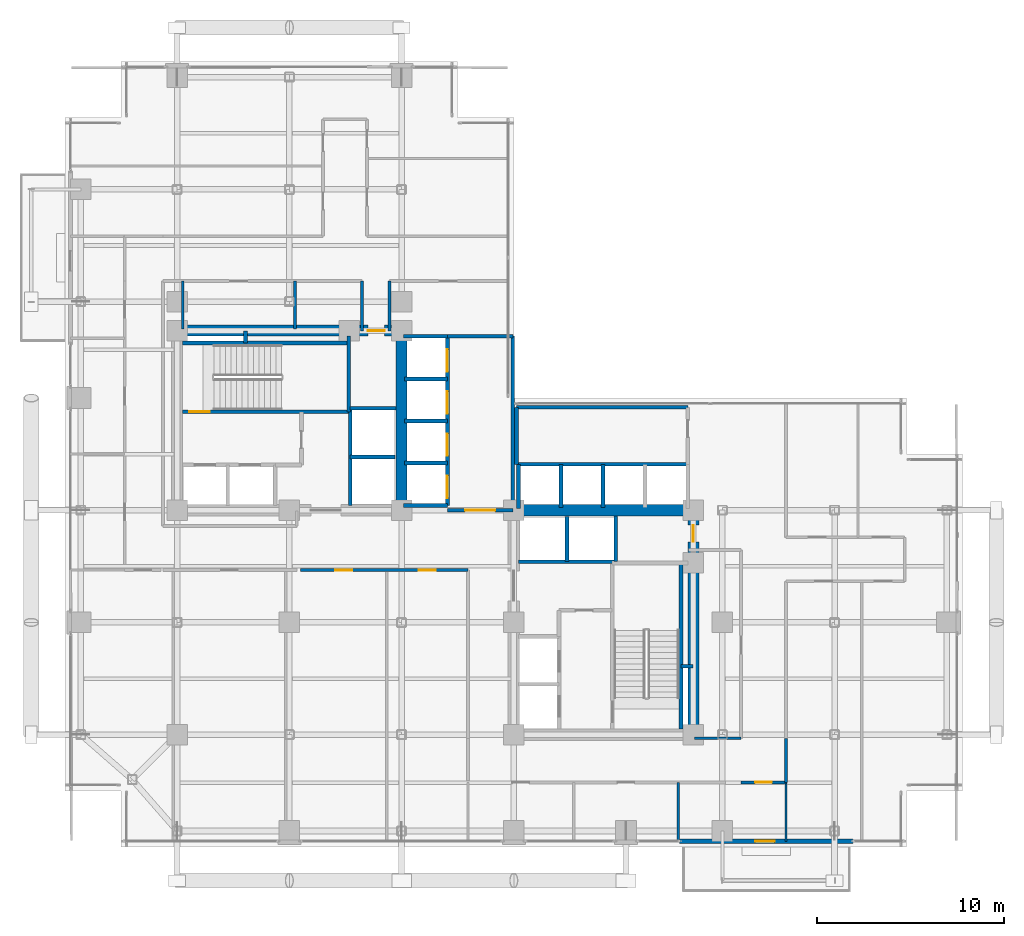
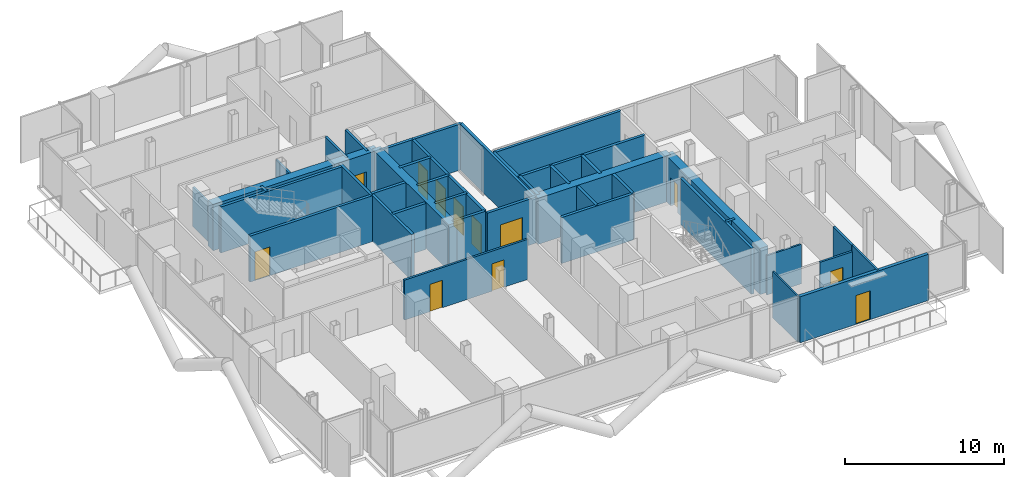
# One storey, part 23 of 28: 42 walls, 12 doors, 12 openings.
"""IFC4 building model written with IfcOpenShell, lengths in metres."""

from ifc_helpers import new_model, si_unit, direction, frame, frame_2d, origin, place, context, subcontext, project, spatial, rectangle, extrude, material, layer, layer_set, type_object, element, fill, save


model = new_model("IFC4")

# Units and contexts
model_context = context("Model", 3, precision=1e-05, world=origin(), true_north=direction((0.0, 1.0)))
body_context = subcontext(model_context, "Body", "Model", "MODEL_VIEW")
ifc_project = project(units=[si_unit("LENGTHUNIT", "METRE"), si_unit("AREAUNIT", "SQUARE_METRE"), si_unit("VOLUMEUNIT", "CUBIC_METRE"), si_unit("PLANEANGLEUNIT", "RADIAN"), si_unit("MASSUNIT", "GRAM", prefix="KILO"), si_unit("THERMODYNAMICTEMPERATUREUNIT", "KELVIN"), si_unit("POWERUNIT", "WATT")], contexts=[model_context])

# Site, building, storey
site_placement = place(None, origin())
site = spatial("IfcSite", under=ifc_project, at=site_placement, CompositionType="ELEMENT")
building_placement = place(site_placement, origin())
building = spatial("IfcBuilding", under=site, at=building_placement, Name="Svarakhadi Broadcast Tower", CompositionType="ELEMENT")
storey_placement = place(building_placement, frame((0.0, 0.0, 103.35009765625)))
storey = spatial("IfcBuildingStorey", under=building, at=storey_placement, Name="L24", CompositionType="ELEMENT", Elevation=103.35009765625)

# Wall, opening, door
ifc_material_1 = material(Name="Concrete C40/50 (IS 456 M50)", Category="concrete")
ifc_layer_1 = layer(ifc_material_1, 0.239990234375)
ifc_layer_set_1 = layer_set([ifc_layer_1], Name="Concrete C40/50 (IS 456 M50)")
wall_type_1 = type_object("IfcWallType", Name="Wall_Ext_240", PredefinedType="SOLIDWALL", material=ifc_layer_set_1)
wall_1_placement = place(storey_placement, frame((42.14501953125, 0.300048828125, 0.0), z_axis=(0.0, 0.0, 1.0), x_axis=(-1.0, 0.0, 0.0)))
wall_1 = element("IfcWall", 1, at=wall_1_placement, inside=storey, type_object=wall_type_1, Name="L24 South Tree Balcony Spandrel Wall", PredefinedType="SOLIDWALL", context=body_context, shape_type="SweptSolid", body=[
    extrude(rectangle(XDim=9.2900390625, YDim=0.239990234375, at=frame_2d((4.64501953125, 0.0))), origin(), (0.0, 0.0, 1.0), 3.52490234375),
])
opening_1_placement = place(wall_1_placement, frame((4.199951171875, 0.0, 0.0)))
opening_1 = element("IfcOpeningElement", 2, at=opening_1_placement, cuts=wall_1, Name="Opening ED-06", PredefinedType="OPENING", context=body_context, shape_type="SweptSolid", body=[
    extrude(rectangle(XDim=1.050048828125, YDim=2.199951171875, at=frame_2d((0.52490234375, 1.10009765625))), frame((0.0, 0.1298828125, 0.0), z_axis=(0.0, -1.0, 0.0), x_axis=(1.0, 0.0, 0.0)), (0.0, 0.0, 1.0), 0.260009765625),
])
ifc_material_2 = material(Name="Anodised Bronze Aluminium AA 6063-T6", Category="aluminium")
door_type_1 = type_object("IfcDoorType", Name="Door_Ext_ED06", OperationType="SINGLE_SWING_RIGHT", PredefinedType="DOOR", material=ifc_material_2)
door_1_placement = place(opening_1_placement, origin())
door_1 = element("IfcDoor", 3, at=door_1_placement, inside=storey, type_object=door_type_1, Name="L24 South Tree Balcony Door", OperationType="SINGLE_SWING_RIGHT", OverallHeight=2.199951171875, OverallWidth=1.050048828125, PredefinedType="DOOR", context=body_context, shape_type="SweptSolid", body=[
    extrude(rectangle(XDim=1.050048828125, YDim=2.199951171875, at=frame_2d((0.52490234375, 1.10009765625))), frame((0.0, 0.02490234375, 0.0), z_axis=(0.0, -1.0, 0.0), x_axis=(1.0, 0.0, 0.0)), (0.0, 0.0, 1.0), 0.050048828125),
])
fill(opening_1, door_1)

# Walls
ifc_layer_2 = layer(ifc_material_1, 0.199951171875)
ifc_layer_set_2 = layer_set([ifc_layer_2], Name="Concrete C40/50 (IS 456 M50)")
wall_type_2 = type_object("IfcWallType", Name="Wall_Fire_200", PredefinedType="SOLIDWALL", material=ifc_layer_set_2)
for number, where, z_axis, x_axis, name in (
    (4, (9.659912109375, 26.93994140625, 0.0), (0.0, 0.0, 1.0), (0.0, 1.0, 0.0), "L24 Wet Riser Shaft East Wall"),
    (5, (32.93994140625, 9.659912109375, 0.0), (0.0, 0.0, 1.0), (1.0, 0.0, 0.0), "L24 HV Busduct Riser Shaft North Wall"),
):
    element("IfcWall", number, at=place(storey_placement, frame(where, z_axis=z_axis, x_axis=x_axis)), inside=storey, type_object=wall_type_2, Name=name, PredefinedType="SOLIDWALL", context=body_context, shape_type="SweptSolid", body=[
        extrude(rectangle(XDim=0.64013671875, YDim=0.199951171875, at=frame_2d((0.320068359375, 0.0))), origin(), (0.0, 0.0, 1.0), 3.52490234375),
    ])
ifc_material_3 = material(Name="Fire-Rated Moisture-Resistant Gypsum Board Partition", Category="gypsum")
ifc_layer_3 = layer(ifc_material_3, 0.125)
ifc_layer_set_3 = layer_set([ifc_layer_3], Name="Fire-Rated Moisture-Resistant Gypsum Board Partition")
wall_type_3 = type_object("IfcWallType", Name="Wall_Part_125", PredefinedType="PARTITIONING", material=ifc_layer_set_3)
for number, where, z_axis, x_axis, name in (
    (6, (32.800048828125, 0.300048828125, 0.0), (0.0, 0.0, 1.0), (0.0, 1.0, 0.0), "L24 Media Legal Review Office Wall"),
    (7, (38.550048828125, 0.300048828125, 0.0), (0.0, 0.0, 1.0), (0.0, 1.0, 0.0), "L24 Broadcast Staff Refreshment Pantry Wall"),
):
    element("IfcWall", number, at=place(storey_placement, frame(where, z_axis=z_axis, x_axis=x_axis)), inside=storey, type_object=wall_type_3, Name=name, PredefinedType="PARTITIONING", context=body_context, shape_type="SweptSolid", body=[
        extrude(rectangle(XDim=3.14990234375, YDim=0.125, at=frame_2d((1.574951171875, 0.0))), origin(), (0.0, 0.0, 1.0), 3.52490234375),
    ])
wall_2_placement = place(storey_placement, frame((33.64990234375, 5.800048828125, 0.0), z_axis=(0.0, 0.0, 1.0), x_axis=(1.0, 0.0, 0.0)))
element("IfcWall", 8, at=wall_2_placement, inside=storey, type_object=wall_type_3, Name="L24 Live Feed Monitoring Studio Wall", PredefinedType="PARTITIONING", context=body_context, shape_type="SweptSolid", body=[
    extrude(rectangle(XDim=2.5, YDim=0.125, at=frame_2d((1.25, 0.0))), origin(), (0.0, 0.0, 1.0), 3.016845703125),
])
ifc_material_4 = material(Name="Autoclaved Aerated Concrete Blockwork 150 mm", Category="masonry")
ifc_layer_4 = layer(ifc_material_4, 0.14990234375)
ifc_layer_set_4 = layer_set([ifc_layer_4], Name="Autoclaved Aerated Concrete Blockwork 150 mm")
wall_type_4 = type_object("IfcWallType", Name="Wall_Part_150", PredefinedType="PARTITIONING", material=ifc_layer_set_4)
wall_3_placement = place(storey_placement, frame((38.550048828125, 5.800048828125, 0.0), z_axis=(0.0, 0.0, 1.0), x_axis=(0.0, -1.0, 0.0)))
element("IfcWall", 9, at=wall_3_placement, inside=storey, type_object=wall_type_4, Name="L24 Broadcast Corridor Wall", PredefinedType="PARTITIONING", context=body_context, shape_type="SweptSolid", body=[
    extrude(rectangle(XDim=2.35009765625, YDim=0.14990234375, at=frame_2d((1.175048828125, 0.0))), origin(), (0.0, 0.0, 1.0), 3.52490234375),
])

# Wall, opening, door
wall_4_placement = place(storey_placement, frame((38.550048828125, 3.449951171875, 0.0), z_axis=(0.0, 0.0, 1.0), x_axis=(-1.0, 0.0, 0.0)))
wall_4 = element("IfcWall", 10, at=wall_4_placement, inside=storey, type_object=wall_type_4, Name="L24 Broadcast Corridor Wall", PredefinedType="PARTITIONING", context=body_context, shape_type="SweptSolid", body=[
    extrude(rectangle(XDim=2.400146484375, YDim=0.14990234375, at=frame_2d((1.2001953125, 0.0))), origin(), (0.0, 0.0, 1.0), 3.06689453125),
])
opening_2_placement = place(wall_4_placement, frame((0.75, 0.0, 0.0)))
opening_2 = element("IfcOpeningElement", 11, at=opening_2_placement, cuts=wall_4, Name="Opening D-14", PredefinedType="OPENING", context=body_context, shape_type="SweptSolid", body=[
    extrude(rectangle(XDim=0.89990234375, YDim=2.10009765625, at=frame_2d((0.449951171875, 1.050048828125))), frame((0.0, 0.0849609375, 0.0), z_axis=(0.0, -1.0, 0.0), x_axis=(1.0, 0.0, 0.0)), (0.0, 0.0, 1.0), 0.169921875),
])
ifc_material_5 = material(Name="Solid-Core Teak Veneer Acoustic Timber Leaf", Category="wood")
door_type_2 = type_object("IfcDoorType", Name="Door_Int_D14", OperationType="SINGLE_SWING_LEFT", PredefinedType="DOOR", material=ifc_material_5)
door_2_placement = place(opening_2_placement, origin())
door_2 = element("IfcDoor", 12, at=door_2_placement, inside=storey, type_object=door_type_2, Name="L24 Broadcast Staff Refreshment Pantry Door", OperationType="SINGLE_SWING_LEFT", OverallHeight=2.10009765625, OverallWidth=0.89990234375, PredefinedType="DOOR", context=body_context, shape_type="SweptSolid", body=[
    extrude(rectangle(XDim=0.89990234375, YDim=2.10009765625, at=frame_2d((0.449951171875, 1.050048828125))), frame((0.0, 0.02490234375, 0.0), z_axis=(0.0, -1.0, 0.0), x_axis=(1.0, 0.0, 0.0)), (0.0, 0.0, 1.0), 0.050048828125),
])
fill(opening_2, door_2)

# Wall, openings, doors
wall_5_placement = place(storey_placement, frame((21.550048828125, 14.800048828125, 0.0), z_axis=(0.0, 0.0, 1.0), x_axis=(-1.0, 0.0, 0.0)))
wall_5 = element("IfcWall", 13, at=wall_5_placement, inside=storey, type_object=wall_type_4, Name="L24 Broadcast Corridor Wall", PredefinedType="PARTITIONING", context=body_context, shape_type="SweptSolid", body=[
    extrude(rectangle(XDim=8.949951171875, YDim=0.14990234375, at=frame_2d((4.47509765625, 0.0))), origin(), (0.0, 0.0, 1.0), 3.06689453125),
])
opening_3_placement = place(wall_5_placement, frame((6.199951171875, 0.0, 0.0)))
opening_3 = element("IfcOpeningElement", 14, at=opening_3_placement, cuts=wall_5, Name="Opening D-15", PredefinedType="OPENING", context=body_context, shape_type="SweptSolid", body=[
    extrude(rectangle(XDim=0.89990234375, YDim=2.10009765625, at=frame_2d((0.449951171875, 1.050048828125))), frame((0.0, 0.0849609375, 0.0), z_axis=(0.0, -1.0, 0.0), x_axis=(1.0, 0.0, 0.0)), (0.0, 0.0, 1.0), 0.169921875),
])
opening_4_placement = place(wall_5_placement, frame((1.72509765625, 0.0, 0.0)))
opening_4 = element("IfcOpeningElement", 15, at=opening_4_placement, cuts=wall_5, Name="Opening D-14", PredefinedType="OPENING", context=body_context, shape_type="SweptSolid", body=[
    extrude(rectangle(XDim=0.89990234375, YDim=2.10009765625, at=frame_2d((0.449951171875, 1.050048828125))), frame((0.0, 0.0849609375, 0.0), z_axis=(0.0, -1.0, 0.0), x_axis=(1.0, 0.0, 0.0)), (0.0, 0.0, 1.0), 0.169921875),
])
door_3_placement = place(opening_4_placement, origin())
door_3 = element("IfcDoor", 16, at=door_3_placement, inside=storey, type_object=door_type_2, Name="L24 Tea Pantry Door", OperationType="SINGLE_SWING_LEFT", OverallHeight=2.10009765625, OverallWidth=0.89990234375, PredefinedType="DOOR", context=body_context, shape_type="SweptSolid", body=[
    extrude(rectangle(XDim=0.89990234375, YDim=2.10009765625, at=frame_2d((0.449951171875, 1.050048828125))), frame((0.0, 0.02490234375, 0.0), z_axis=(0.0, -1.0, 0.0), x_axis=(1.0, 0.0, 0.0)), (0.0, 0.0, 1.0), 0.050048828125),
])
fill(opening_4, door_3)
door_type_3 = type_object("IfcDoorType", Name="Door_Int_D15", OperationType="SINGLE_SWING_RIGHT", PredefinedType="DOOR", material=ifc_material_5)
door_4_placement = place(opening_3_placement, origin())
door_4 = element("IfcDoor", 17, at=door_4_placement, inside=storey, type_object=door_type_3, Name="L24 Regional Editors Room Door", OperationType="SINGLE_SWING_RIGHT", OverallHeight=2.10009765625, OverallWidth=0.89990234375, PredefinedType="DOOR", context=body_context, shape_type="SweptSolid", body=[
    extrude(rectangle(XDim=0.89990234375, YDim=2.10009765625, at=frame_2d((0.449951171875, 1.050048828125))), frame((0.0, 0.02490234375, 0.0), z_axis=(0.0, -1.0, 0.0), x_axis=(1.0, 0.0, 0.0)), (0.0, 0.0, 1.0), 0.050048828125),
])
fill(opening_3, door_4)

# Walls
for number, where, z_axis, x_axis, name in (
    (18, (17.35009765625, 30.25, 0.0), (0.0, 0.0, 1.0), (0.0, -1.0, 0.0), "L24 Broadcast Corridor Wall"),
    (19, (15.8798828125, 27.580078125, 0.0), (0.0, 0.0, 1.0), (0.0, 1.0, 0.0), "L24 Broadcast Corridor Wall"),
):
    element("IfcWall", number, at=place(storey_placement, frame(where, z_axis=z_axis, x_axis=x_axis)), inside=storey, type_object=wall_type_4, Name=name, PredefinedType="PARTITIONING", context=body_context, shape_type="SweptSolid", body=[
        extrude(rectangle(XDim=2.669921875, YDim=0.14990234375, at=frame_2d((1.3349609375, 0.0))), origin(), (0.0, 0.0, 1.0), 3.52490234375),
    ])
for number, where, z_axis, x_axis, name in (
    (20, (6.300048828125, 27.679931640625, 0.0), (0.0, 0.0, 1.0), (0.0, 1.0, 0.0), "L24 Accessible Toilet WC Wall"),
    (21, (12.300048828125, 27.679931640625, 0.0), (0.0, 0.0, 1.0), (0.0, 1.0, 0.0), "L24 Accessible Toilet WC Wall"),
):
    element("IfcWall", number, at=place(storey_placement, frame(where, z_axis=z_axis, x_axis=x_axis)), inside=storey, type_object=wall_type_4, Name=name, PredefinedType="PARTITIONING", context=body_context, shape_type="SweptSolid", body=[
        extrude(rectangle(XDim=2.570068359375, YDim=0.14990234375, at=frame_2d((1.28515625, 0.0))), origin(), (0.0, 0.0, 1.0), 3.016845703125),
    ])

# Wall, opening, door
ifc_material_6 = material(Name="Concrete C50/60 (IS 456 M60)", Category="concrete")
ifc_layer_5 = layer(ifc_material_6, 0.199951171875)
ifc_layer_set_5 = layer_set([ifc_layer_5], Name="Concrete C50/60 (IS 456 M60)")
wall_type_5 = type_object("IfcWallType", Name="Wall_Shear_200", PredefinedType="SHEAR", material=ifc_layer_set_5)
wall_6_placement = place(storey_placement, frame((6.300048828125, 23.260009765625, 0.0), z_axis=(0.0, 0.0, 1.0), x_axis=(1.0, 0.0, 0.0)))
wall_6 = element("IfcWall", 22, at=wall_6_placement, inside=storey, type_object=wall_type_5, Name="L24 Stair ST-01 South RC Shaft Wall", PredefinedType="SHEAR", context=body_context, shape_type="SweptSolid", body=[
    extrude(rectangle(XDim=8.8798828125, YDim=0.199951171875, at=frame_2d((4.43994140625, 0.0))), origin(), (0.0, 0.0, 1.0), 3.52490234375),
])
opening_5_placement = place(wall_6_placement, frame((0.35009765625, 0.0, 0.0)))
opening_5 = element("IfcOpeningElement", 23, at=opening_5_placement, cuts=wall_6, Name="Opening D-01", PredefinedType="OPENING", context=body_context, shape_type="SweptSolid", body=[
    extrude(rectangle(XDim=1.10009765625, YDim=2.199951171875, at=frame_2d((0.550048828125, 1.10009765625))), frame((0.0, 0.10986328125, 0.0), z_axis=(0.0, -1.0, 0.0), x_axis=(1.0, 0.0, 0.0)), (0.0, 0.0, 1.0), 0.219970703125),
])
ifc_material_7 = material(Name="Galvanised Powder-Coated Fire-Rated Steel Leaf", Category="steel")
door_type_4 = type_object("IfcDoorType", Name="Door_Stair_D01", OperationType="SINGLE_SWING_LEFT", PredefinedType="DOOR", material=ifc_material_7)
door_5_placement = place(opening_5_placement, origin())
door_5 = element("IfcDoor", 24, at=door_5_placement, inside=storey, type_object=door_type_4, Name="L24 Protected Exit Stair ST-01 Fire Door", OperationType="SINGLE_SWING_LEFT", OverallHeight=2.199951171875, OverallWidth=1.10009765625, PredefinedType="DOOR", context=body_context, shape_type="SweptSolid", body=[
    extrude(rectangle(XDim=1.10009765625, YDim=2.199951171875, at=frame_2d((0.550048828125, 1.10009765625))), frame((0.0, 0.02490234375, 0.0), z_axis=(0.0, -1.0, 0.0), x_axis=(1.0, 0.0, 0.0)), (0.0, 0.0, 1.0), 0.050048828125),
])
fill(opening_5, door_5)

# Walls
wall_7_placement = place(storey_placement, frame((6.300048828125, 26.93994140625, 0.0), z_axis=(0.0, 0.0, 1.0), x_axis=(1.0, 0.0, 0.0)))
element("IfcWall", 25, at=wall_7_placement, inside=storey, type_object=wall_type_5, Name="L24 Stair ST-01 North RC Shaft Wall", PredefinedType="SHEAR", context=body_context, shape_type="SweptSolid", body=[
    extrude(rectangle(XDim=8.8798828125, YDim=0.199951171875, at=frame_2d((4.43994140625, 0.0))), origin(), (0.0, 0.0, 1.0), 3.52490234375),
])
wall_8_placement = place(storey_placement, frame((15.179931640625, 23.260009765625, 0.0), z_axis=(0.0, 0.0, 1.0), x_axis=(0.0, 1.0, 0.0)))
element("IfcWall", 26, at=wall_8_placement, inside=storey, type_object=wall_type_5, Name="L24 Stair ST-01 East RC Shaft Wall", PredefinedType="SHEAR", context=body_context, shape_type="SweptSolid", body=[
    extrude(rectangle(XDim=4.0400390625, YDim=0.199951171875, at=frame_2d((2.02001953125, 0.0))), origin(), (0.0, 0.0, 1.0), 3.52490234375),
])
wall_9_placement = place(storey_placement, frame((32.93994140625, 6.300048828125, 0.0), z_axis=(0.0, 0.0, 1.0), x_axis=(0.0, 1.0, 0.0)))
element("IfcWall", 27, at=wall_9_placement, inside=storey, type_object=wall_type_5, Name="L24 Stair ST-02 East RC Shaft Wall", PredefinedType="SHEAR", context=body_context, shape_type="SweptSolid", body=[
    extrude(rectangle(XDim=8.8798828125, YDim=0.199951171875, at=frame_2d((4.43994140625, 0.0))), origin(), (0.0, 0.0, 1.0), 3.52490234375),
])
wall_10_placement = place(storey_placement, frame((15.25, 18.25, 0.0), z_axis=(0.0, 0.0, 1.0), x_axis=(0.0, 1.0, 0.0)))
element("IfcWall", 28, at=wall_10_placement, inside=storey, type_object=wall_type_5, Name="L24 High-Rise Lift LF-13/14 West Shaft Wall", PredefinedType="SHEAR", context=body_context, shape_type="SweptSolid", body=[
    extrude(rectangle(XDim=5.199951171875, YDim=0.199951171875, at=frame_2d((2.60009765625, 0.0))), origin(), (0.0, 0.0, 1.0), 3.52490234375),
])
wall_11_placement = place(storey_placement, frame((15.25, 20.85009765625, 0.0), z_axis=(0.0, 0.0, 1.0), x_axis=(1.0, 0.0, 0.0)))
element("IfcWall", 29, at=wall_11_placement, inside=storey, type_object=wall_type_5, Name="L24 High-Rise Lift LF-13/14 Divider", PredefinedType="SHEAR", context=body_context, shape_type="SweptSolid", body=[
    extrude(rectangle(XDim=2.39990234375, YDim=0.199951171875, at=frame_2d((1.199951171875, 0.0))), origin(), (0.0, 0.0, 1.0), 3.52490234375),
])
wall_12_placement = place(storey_placement, frame((15.25, 23.449951171875, 0.0), z_axis=(0.0, 0.0, 1.0), x_axis=(1.0, 0.0, 0.0)))
element("IfcWall", 30, at=wall_12_placement, inside=storey, type_object=wall_type_5, Name="L24 High-Rise Lift LF-13/14 North Wall", PredefinedType="SHEAR", context=body_context, shape_type="SweptSolid", body=[
    extrude(rectangle(XDim=2.449951171875, YDim=0.199951171875, at=frame_2d((1.22509765625, 0.0))), origin(), (0.0, 0.0, 1.0), 3.52490234375),
])
wall_13_placement = place(storey_placement, frame((24.25, 15.25, 0.0), z_axis=(0.0, 0.0, 1.0), x_axis=(1.0, 0.0, 0.0)))
element("IfcWall", 31, at=wall_13_placement, inside=storey, type_object=wall_type_5, Name="L24 High-Rise Lift LF-15/16 South Shaft Wall", PredefinedType="SHEAR", context=body_context, shape_type="SweptSolid", body=[
    extrude(rectangle(XDim=5.199951171875, YDim=0.199951171875, at=frame_2d((2.60009765625, 0.0))), origin(), (0.0, 0.0, 1.0), 3.52490234375),
])
wall_14_placement = place(storey_placement, frame((26.85009765625, 15.25, 0.0), z_axis=(0.0, 0.0, 1.0), x_axis=(0.0, 1.0, 0.0)))
element("IfcWall", 32, at=wall_14_placement, inside=storey, type_object=wall_type_5, Name="L24 High-Rise Lift LF-15/16 Divider", PredefinedType="SHEAR", context=body_context, shape_type="SweptSolid", body=[
    extrude(rectangle(XDim=2.39990234375, YDim=0.199951171875, at=frame_2d((1.199951171875, 0.0))), origin(), (0.0, 0.0, 1.0), 3.52490234375),
])
wall_15_placement = place(storey_placement, frame((29.449951171875, 15.25, 0.0), z_axis=(0.0, 0.0, 1.0), x_axis=(0.0, 1.0, 0.0)))
element("IfcWall", 33, at=wall_15_placement, inside=storey, type_object=wall_type_5, Name="L24 High-Rise Lift LF-15/16 East Wall", PredefinedType="SHEAR", context=body_context, shape_type="SweptSolid", body=[
    extrude(rectangle(XDim=2.449951171875, YDim=0.199951171875, at=frame_2d((1.22509765625, 0.0))), origin(), (0.0, 0.0, 1.0), 3.52490234375),
])
for number, where, z_axis, x_axis, name in (
    (34, (18.10009765625, 27.300048828125, 0.0), (0.0, 0.0, 1.0), (1.0, 0.0, 0.0), "L24 Bank A North Shaft Wall"),
    (35, (18.10009765625, 18.25, 0.0), (0.0, 0.0, 1.0), (1.0, 0.0, 0.0), "L24 Bank A South Shaft Wall"),
):
    element("IfcWall", number, at=place(storey_placement, frame(where, z_axis=z_axis, x_axis=x_axis)), inside=storey, type_object=wall_type_5, Name=name, PredefinedType="SHEAR", context=body_context, shape_type="SweptSolid", body=[
        extrude(rectangle(XDim=2.349853515625, YDim=0.199951171875, at=frame_2d((1.1748046875, 0.0))), origin(), (0.0, 0.0, 1.0), 3.52490234375),
    ])

# Wall, openings, doors
wall_16_placement = place(storey_placement, frame((20.449951171875, 18.25, 0.0), z_axis=(0.0, 0.0, 1.0), x_axis=(0.0, 1.0, 0.0)))
wall_16 = element("IfcWall", 36, at=wall_16_placement, inside=storey, type_object=wall_type_5, Name="L24 Bank A East Landing Wall", PredefinedType="SHEAR", context=body_context, shape_type="SweptSolid", body=[
    extrude(rectangle(XDim=9.050048828125, YDim=0.199951171875, at=frame_2d((4.52490234375, 0.0))), origin(), (0.0, 0.0, 1.0), 3.52490234375),
])
opening_6_placement = place(wall_16_placement, frame((0.39990234375, 0.0, 0.0)))
opening_6 = element("IfcOpeningElement", 37, at=opening_6_placement, cuts=wall_16, Name="Opening LD-02", PredefinedType="OPENING", context=body_context, shape_type="SweptSolid", body=[
    extrude(rectangle(XDim=1.199951171875, YDim=2.199951171875, at=frame_2d((0.60009765625, 1.10009765625))), frame((0.0, 0.10986328125, 0.0), z_axis=(0.0, -1.0, 0.0), x_axis=(1.0, 0.0, 0.0)), (0.0, 0.0, 1.0), 0.219970703125),
])
opening_7_placement = place(wall_16_placement, frame((2.64990234375, 0.0, 0.0)))
opening_7 = element("IfcOpeningElement", 38, at=opening_7_placement, cuts=wall_16, Name="Opening LD-02", PredefinedType="OPENING", context=body_context, shape_type="SweptSolid", body=[
    extrude(rectangle(XDim=1.199951171875, YDim=2.199951171875, at=frame_2d((0.60009765625, 1.10009765625))), frame((0.0, 0.10986328125, 0.0), z_axis=(0.0, -1.0, 0.0), x_axis=(1.0, 0.0, 0.0)), (0.0, 0.0, 1.0), 0.219970703125),
])
opening_8_placement = place(wall_16_placement, frame((4.89990234375, 0.0, 0.0)))
opening_8 = element("IfcOpeningElement", 39, at=opening_8_placement, cuts=wall_16, Name="Opening LD-02", PredefinedType="OPENING", context=body_context, shape_type="SweptSolid", body=[
    extrude(rectangle(XDim=1.199951171875, YDim=2.199951171875, at=frame_2d((0.60009765625, 1.10009765625))), frame((0.0, 0.10986328125, 0.0), z_axis=(0.0, -1.0, 0.0), x_axis=(1.0, 0.0, 0.0)), (0.0, 0.0, 1.0), 0.219970703125),
])
opening_9_placement = place(wall_16_placement, frame((7.14990234375, 0.0, 0.0)))
opening_9 = element("IfcOpeningElement", 40, at=opening_9_placement, cuts=wall_16, Name="Opening LD-02", PredefinedType="OPENING", context=body_context, shape_type="SweptSolid", body=[
    extrude(rectangle(XDim=1.199951171875, YDim=2.199951171875, at=frame_2d((0.60009765625, 1.10009765625))), frame((0.0, 0.10986328125, 0.0), z_axis=(0.0, -1.0, 0.0), x_axis=(1.0, 0.0, 0.0)), (0.0, 0.0, 1.0), 0.219970703125),
])
door_type_5 = type_object("IfcDoorType", Name="Door_Lift_LD02", OperationType="SLIDING_TO_RIGHT", PredefinedType="DOOR", material=ifc_material_7)
door_6_placement = place(opening_6_placement, origin())
door_6 = element("IfcDoor", 41, at=door_6_placement, inside=storey, type_object=door_type_5, Name="L24 Low-Rise Lift LF-05 Landing Door", OperationType="SLIDING_TO_RIGHT", OverallHeight=2.199951171875, OverallWidth=1.199951171875, PredefinedType="DOOR", context=body_context, shape_type="SweptSolid", body=[
    extrude(rectangle(XDim=1.199951171875, YDim=2.199951171875, at=frame_2d((0.60009765625, 1.10009765625))), frame((0.0, 0.02490234375, 0.0), z_axis=(0.0, -1.0, 0.0), x_axis=(1.0, 0.0, 0.0)), (0.0, 0.0, 1.0), 0.050048828125),
])
fill(opening_6, door_6)
door_7_placement = place(opening_7_placement, origin())
door_7 = element("IfcDoor", 42, at=door_7_placement, inside=storey, type_object=door_type_5, Name="L24 Low-Rise Lift LF-06 Landing Door", OperationType="SLIDING_TO_RIGHT", OverallHeight=2.199951171875, OverallWidth=1.199951171875, PredefinedType="DOOR", context=body_context, shape_type="SweptSolid", body=[
    extrude(rectangle(XDim=1.199951171875, YDim=2.199951171875, at=frame_2d((0.60009765625, 1.10009765625))), frame((0.0, 0.02490234375, 0.0), z_axis=(0.0, -1.0, 0.0), x_axis=(1.0, 0.0, 0.0)), (0.0, 0.0, 1.0), 0.050048828125),
])
fill(opening_7, door_7)
door_8_placement = place(opening_8_placement, origin())
door_8 = element("IfcDoor", 43, at=door_8_placement, inside=storey, type_object=door_type_5, Name="L24 Low-Rise Lift LF-07 Landing Door", OperationType="SLIDING_TO_RIGHT", OverallHeight=2.199951171875, OverallWidth=1.199951171875, PredefinedType="DOOR", context=body_context, shape_type="SweptSolid", body=[
    extrude(rectangle(XDim=1.199951171875, YDim=2.199951171875, at=frame_2d((0.60009765625, 1.10009765625))), frame((0.0, 0.02490234375, 0.0), z_axis=(0.0, -1.0, 0.0), x_axis=(1.0, 0.0, 0.0)), (0.0, 0.0, 1.0), 0.050048828125),
])
fill(opening_8, door_8)
door_9_placement = place(opening_9_placement, origin())
door_9 = element("IfcDoor", 44, at=door_9_placement, inside=storey, type_object=door_type_5, Name="L24 Low-Rise Lift LF-08 Landing Door", OperationType="SLIDING_TO_RIGHT", OverallHeight=2.199951171875, OverallWidth=1.199951171875, PredefinedType="DOOR", context=body_context, shape_type="SweptSolid", body=[
    extrude(rectangle(XDim=1.199951171875, YDim=2.199951171875, at=frame_2d((0.60009765625, 1.10009765625))), frame((0.0, 0.02490234375, 0.0), z_axis=(0.0, -1.0, 0.0), x_axis=(1.0, 0.0, 0.0)), (0.0, 0.0, 1.0), 0.050048828125),
])
fill(opening_9, door_9)

# Walls
for number, where, z_axis, x_axis, name in (
    (45, (18.14990234375, 20.52001953125, 0.0), (0.0, 0.0, 1.0), (1.0, 0.0, 0.0), "L24 Bank A Divider"),
    (46, (18.14990234375, 22.77001953125, 0.0), (0.0, 0.0, 1.0), (1.0, 0.0, 0.0), "L24 Bank A Divider"),
    (47, (18.14990234375, 25.02001953125, 0.0), (0.0, 0.0, 1.0), (1.0, 0.0, 0.0), "L24 Bank A Divider"),
):
    element("IfcWall", number, at=place(storey_placement, frame(where, z_axis=z_axis, x_axis=x_axis)), inside=storey, type_object=wall_type_5, Name=name, PredefinedType="SHEAR", context=body_context, shape_type="SweptSolid", body=[
        extrude(rectangle(XDim=2.300048828125, YDim=0.199951171875, at=frame_2d((1.14990234375, 0.0))), origin(), (0.0, 0.0, 1.0), 3.52490234375),
    ])

# Wall, opening, door
wall_17_placement = place(storey_placement, frame((20.449951171875, 18.0, 0.0), z_axis=(0.0, 0.0, 1.0), x_axis=(1.0, 0.0, 0.0)))
wall_17 = element("IfcWall", 48, at=wall_17_placement, inside=storey, type_object=wall_type_5, Name="L24 Bank A Lift Hall South Wall", PredefinedType="SHEAR", context=body_context, shape_type="SweptSolid", body=[
    extrude(rectangle(XDim=3.5, YDim=0.199951171875, at=frame_2d((1.75, 0.0))), origin(), (0.0, 0.0, 1.0), 3.52490234375),
])
opening_10_placement = place(wall_17_placement, frame((0.949951171875, 0.0, 0.0)))
opening_10 = element("IfcOpeningElement", 49, at=opening_10_placement, cuts=wall_17, Name="Opening D-05", PredefinedType="OPENING", context=body_context, shape_type="SweptSolid", body=[
    extrude(rectangle(XDim=1.60009765625, YDim=2.300048828125, at=frame_2d((0.800048828125, 1.14990234375))), frame((0.0, 0.10986328125, 0.0), z_axis=(0.0, -1.0, 0.0), x_axis=(1.0, 0.0, 0.0)), (0.0, 0.0, 1.0), 0.219970703125),
])
door_type_6 = type_object("IfcDoorType", Name="Door_Lobby_D05", OperationType="DOUBLE_DOOR_SLIDING", PredefinedType="DOOR", material=ifc_material_2)
door_10_placement = place(opening_10_placement, origin())
door_10 = element("IfcDoor", 50, at=door_10_placement, inside=storey, type_object=door_type_6, Name="L24 Low-Rise Lift Hall Corridor Door", OperationType="DOUBLE_DOOR_SLIDING", OverallHeight=2.300048828125, OverallWidth=1.60009765625, PredefinedType="DOOR", context=body_context, shape_type="SweptSolid", body=[
    extrude(rectangle(XDim=1.60009765625, YDim=2.300048828125, at=frame_2d((0.800048828125, 1.14990234375))), frame((0.0, 0.02490234375, 0.0), z_axis=(0.0, -1.0, 0.0), x_axis=(1.0, 0.0, 0.0)), (0.0, 0.0, 1.0), 0.050048828125),
])
fill(opening_10, door_10)

# Walls
wall_18_placement = place(storey_placement, frame((20.449951171875, 27.300048828125, 0.0), z_axis=(0.0, 0.0, 1.0), x_axis=(1.0, 0.0, 0.0)))
element("IfcWall", 51, at=wall_18_placement, inside=storey, type_object=wall_type_5, Name="L24 Bank A Lift Hall North Wall", PredefinedType="SHEAR", context=body_context, shape_type="SweptSolid", body=[
    extrude(rectangle(XDim=3.5, YDim=0.199951171875, at=frame_2d((1.75, 0.0))), origin(), (0.0, 0.0, 1.0), 3.52490234375),
])
wall_19_placement = place(storey_placement, frame((23.949951171875, 18.0, 0.0), z_axis=(0.0, 0.0, 1.0), x_axis=(0.0, 1.0, 0.0)))
element("IfcWall", 52, at=wall_19_placement, inside=storey, type_object=wall_type_5, Name="L24 Bank A Lift Hall East Wall", PredefinedType="SHEAR", context=body_context, shape_type="SweptSolid", body=[
    extrude(rectangle(XDim=9.300048828125, YDim=0.199951171875, at=frame_2d((4.64990234375, 0.0))), origin(), (0.0, 0.0, 1.0), 3.52490234375),
])
wall_20_placement = place(storey_placement, frame((24.25, 18.10009765625, 0.0), z_axis=(0.0, 0.0, 1.0), x_axis=(0.0, 1.0, 0.0)))
element("IfcWall", 53, at=wall_20_placement, inside=storey, type_object=wall_type_5, Name="L24 Bank B West Shaft Wall", PredefinedType="SHEAR", context=body_context, shape_type="SweptSolid", body=[
    extrude(rectangle(XDim=2.349853515625, YDim=0.199951171875, at=frame_2d((1.1748046875, 0.0))), origin(), (0.0, 0.0, 1.0), 3.52490234375),
])
wall_21_placement = place(storey_placement, frame((24.25, 20.449951171875, 0.0), z_axis=(0.0, 0.0, 1.0), x_axis=(1.0, 0.0, 0.0)))
element("IfcWall", 54, at=wall_21_placement, inside=storey, type_object=wall_type_5, Name="L24 Bank B North Landing Wall", PredefinedType="SHEAR", context=body_context, shape_type="SweptSolid", body=[
    extrude(rectangle(XDim=9.050048828125, YDim=0.199951171875, at=frame_2d((4.52490234375, 0.0))), origin(), (0.0, 0.0, 1.0), 3.52490234375),
])
for number, where, z_axis, x_axis, name in (
    (55, (26.52001953125, 18.14990234375, 0.0), (0.0, 0.0, 1.0), (0.0, 1.0, 0.0), "L24 Bank B Divider"),
    (56, (28.77001953125, 18.14990234375, 0.0), (0.0, 0.0, 1.0), (0.0, 1.0, 0.0), "L24 Bank B Divider"),
):
    element("IfcWall", number, at=place(storey_placement, frame(where, z_axis=z_axis, x_axis=x_axis)), inside=storey, type_object=wall_type_5, Name=name, PredefinedType="SHEAR", context=body_context, shape_type="SweptSolid", body=[
        extrude(rectangle(XDim=2.300048828125, YDim=0.199951171875, at=frame_2d((1.14990234375, 0.0))), origin(), (0.0, 0.0, 1.0), 3.52490234375),
    ])
wall_22_placement = place(storey_placement, frame((24.14990234375, 23.5, 0.0), z_axis=(0.0, 0.0, 1.0), x_axis=(1.0, 0.0, 0.0)))
element("IfcWall", 57, at=wall_22_placement, inside=storey, type_object=wall_type_5, Name="L24 Bank B Lift Hall North Wall", PredefinedType="SHEAR", context=body_context, shape_type="SweptSolid", body=[
    extrude(rectangle(XDim=9.150146484375, YDim=0.199951171875, at=frame_2d((4.5751953125, 0.0))), origin(), (0.0, 0.0, 1.0), 3.52490234375),
])
wall_23_placement = place(storey_placement, frame((24.14990234375, 20.449951171875, 0.0), z_axis=(0.0, 0.0, 1.0), x_axis=(0.0, 1.0, 0.0)))
element("IfcWall", 58, at=wall_23_placement, inside=storey, type_object=wall_type_5, Name="L24 Bank B Lift Hall West Wall", PredefinedType="SHEAR", context=body_context, shape_type="SweptSolid", body=[
    extrude(rectangle(XDim=3.050048828125, YDim=0.199951171875, at=frame_2d((1.52490234375, 0.0))), origin(), (0.0, 0.0, 1.0), 3.52490234375),
])

# Wall, opening, door
ifc_material_8 = material(Name="Concrete C60/75 (IS 456 M70)", Category="concrete")
ifc_layer_6 = layer(ifc_material_8, 0.60009765625)
ifc_layer_set_6 = layer_set([ifc_layer_6], Name="Concrete C60/75 (IS 456 M70)")
wall_type_6 = type_object("IfcWallType", Name="Wall_Shear_600", PredefinedType="SHEAR", material=ifc_layer_set_6)
wall_24_placement = place(storey_placement, frame((6.0, 27.60009765625, 0.0), z_axis=(0.0, 0.0, 1.0), x_axis=(1.0, 0.0, 0.0)))
wall_24 = element("IfcWall", 59, at=wall_24_placement, inside=storey, type_object=wall_type_6, Name="L24 West Core North Shear Wall", PredefinedType="SHEAR", context=body_context, shape_type="SweptSolid", body=[
    extrude(rectangle(XDim=12.0, YDim=0.60009765625, at=frame_2d((6.0, 0.0))), origin(), (0.0, 0.0, 1.0), 3.52490234375),
])
opening_11_placement = place(wall_24_placement, frame((10.199951171875, 0.0, 0.0)))
opening_11 = element("IfcOpeningElement", 60, at=opening_11_placement, cuts=wall_24, Name="Opening D-03", PredefinedType="OPENING", context=body_context, shape_type="SweptSolid", body=[
    extrude(rectangle(XDim=0.89990234375, YDim=2.14990234375, at=frame_2d((0.449951171875, 1.074951171875))), frame((0.0, 0.31005859375, 0.0), z_axis=(0.0, -1.0, 0.0), x_axis=(1.0, 0.0, 0.0)), (0.0, 0.0, 1.0), 0.6201171875),
])
door_type_7 = type_object("IfcDoorType", Name="Door_Fire_D03", OperationType="SINGLE_SWING_LEFT", PredefinedType="DOOR", material=ifc_material_7)
door_11_placement = place(opening_11_placement, origin())
door_11 = element("IfcDoor", 61, at=door_11_placement, inside=storey, type_object=door_type_7, Name="L24 Core Service Room West Door", OperationType="SINGLE_SWING_LEFT", OverallHeight=2.14990234375, OverallWidth=0.89990234375, PredefinedType="DOOR", context=body_context, shape_type="SweptSolid", body=[
    extrude(rectangle(XDim=0.89990234375, YDim=2.14990234375, at=frame_2d((0.449951171875, 1.074951171875))), frame((0.0, 0.02490234375, 0.0), z_axis=(0.0, -1.0, 0.0), x_axis=(1.0, 0.0, 0.0)), (0.0, 0.0, 1.0), 0.050048828125),
])
fill(opening_11, door_11)

# Walls
for number, where, z_axis, x_axis, name in (
    (62, (18.0, 18.0, 0.0), (0.0, 0.0, 1.0), (0.0, 1.0, 0.0), "L24 West Core East Shear Wall"),
    (63, (24.0, 18.0, 0.0), (0.0, 0.0, 1.0), (1.0, 0.0, 0.0), "L24 East Core North Shear Wall"),
):
    element("IfcWall", number, at=place(storey_placement, frame(where, z_axis=z_axis, x_axis=x_axis)), inside=storey, type_object=wall_type_6, Name=name, PredefinedType="SHEAR", context=body_context, shape_type="SweptSolid", body=[
        extrude(rectangle(XDim=9.60009765625, YDim=0.60009765625, at=frame_2d((4.800048828125, 0.0))), origin(), (0.0, 0.0, 1.0), 3.52490234375),
    ])

# Wall, opening, door
wall_25_placement = place(storey_placement, frame((33.60009765625, 6.0, 0.0), z_axis=(0.0, 0.0, 1.0), x_axis=(0.0, 1.0, 0.0)))
wall_25 = element("IfcWall", 64, at=wall_25_placement, inside=storey, type_object=wall_type_6, Name="L24 East Core East Shear Wall", PredefinedType="SHEAR", context=body_context, shape_type="SweptSolid", body=[
    extrude(rectangle(XDim=12.0, YDim=0.60009765625, at=frame_2d((6.0, 0.0))), origin(), (0.0, 0.0, 1.0), 3.52490234375),
])
opening_12_placement = place(wall_25_placement, frame((10.300048828125, 0.0, 0.0)))
opening_12 = element("IfcOpeningElement", 65, at=opening_12_placement, cuts=wall_25, Name="Opening D-03", PredefinedType="OPENING", context=body_context, shape_type="SweptSolid", body=[
    extrude(rectangle(XDim=0.89990234375, YDim=2.14990234375, at=frame_2d((0.449951171875, 1.074951171875))), frame((0.0, 0.31005859375, 0.0), z_axis=(0.0, -1.0, 0.0), x_axis=(1.0, 0.0, 0.0)), (0.0, 0.0, 1.0), 0.6201171875),
])
door_12_placement = place(opening_12_placement, origin())
door_12 = element("IfcDoor", 66, at=door_12_placement, inside=storey, type_object=door_type_7, Name="L24 Core Service Room East Door", OperationType="SINGLE_SWING_LEFT", OverallHeight=2.14990234375, OverallWidth=0.89990234375, PredefinedType="DOOR", context=body_context, shape_type="SweptSolid", body=[
    extrude(rectangle(XDim=0.89990234375, YDim=2.14990234375, at=frame_2d((0.449951171875, 1.074951171875))), frame((0.0, 0.02490234375, 0.0), z_axis=(0.0, -1.0, 0.0), x_axis=(1.0, 0.0, 0.0)), (0.0, 0.0, 1.0), 0.050048828125),
])
fill(opening_12, door_12)

save(model, "model.ifc")
